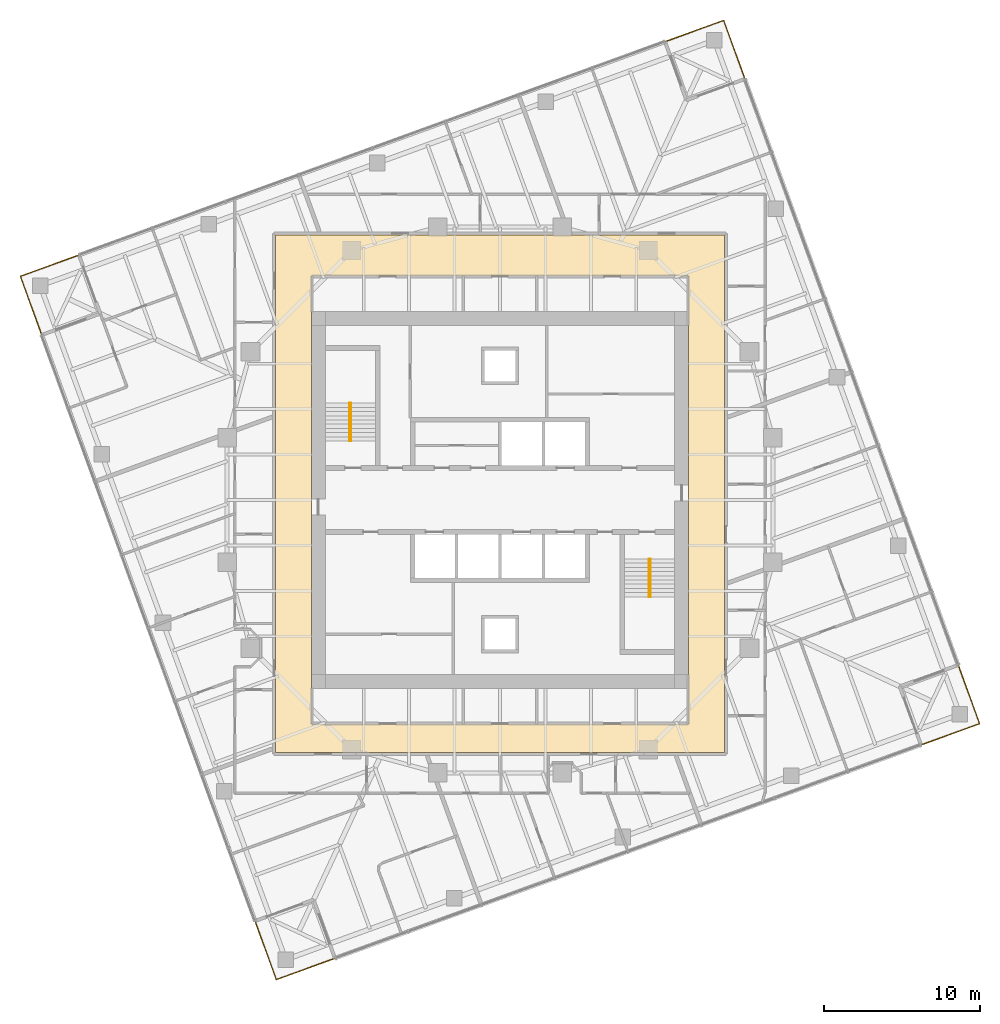
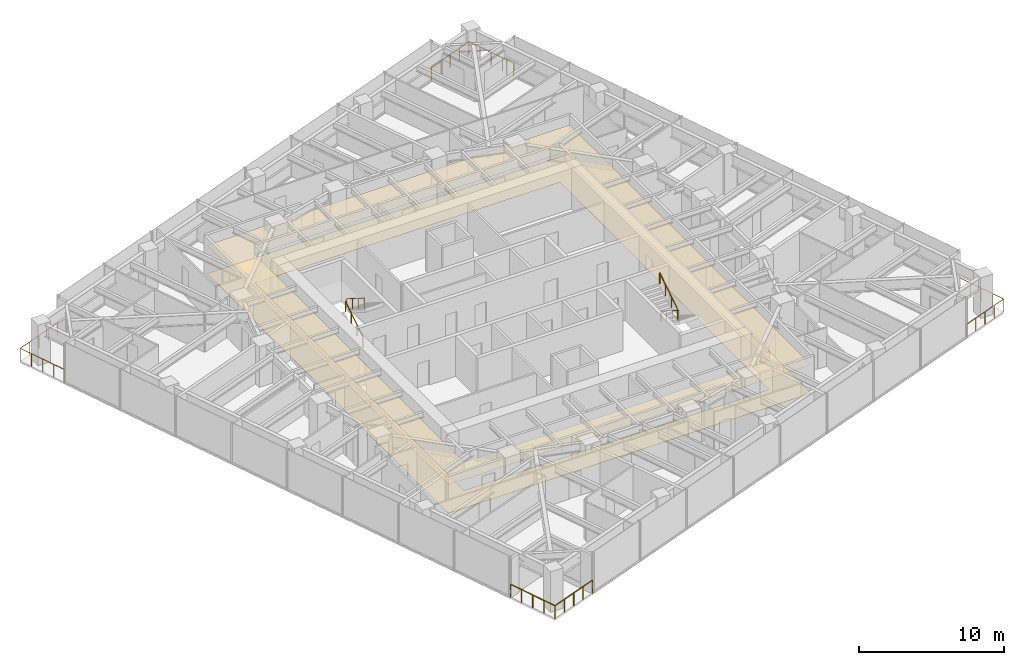
# One storey, part 13 of 13: 8 railings, 2 coverings, 2 elements without a shape of their own.
"""IFC4 building model written with IfcOpenShell, lengths in metres."""

from ifc_helpers import new_model, si_unit, direction, frame, origin, origin_2d, place, context, subcontext, project, spatial, polyline, circle, outline, extrude, material, layer, layer_set, type_object, element, aggregate, save


model = new_model("IFC4")

# Units and contexts
model_context = context("Model", 3, precision=1e-05, world=origin(), true_north=direction((0.0, 1.0)))
body_context = subcontext(model_context, "Body", "Model", "MODEL_VIEW")
ifc_project = project(units=[si_unit("LENGTHUNIT", "METRE"), si_unit("AREAUNIT", "SQUARE_METRE"), si_unit("VOLUMEUNIT", "CUBIC_METRE"), si_unit("PLANEANGLEUNIT", "RADIAN"), si_unit("MASSUNIT", "GRAM", prefix="KILO")], contexts=[model_context])

# Site, building, storey
site_placement = place(None, origin())
site = spatial("IfcSite", under=ifc_project, at=site_placement, CompositionType="ELEMENT")
building_placement = place(site_placement, origin())
building = spatial("IfcBuilding", under=site, at=building_placement, Name="Torsade Residences", CompositionType="ELEMENT")
storey_placement = place(building_placement, frame((0.0, 0.0, 160.800048828125)))
storey = spatial("IfcBuildingStorey", under=building, at=storey_placement, Name="L44", CompositionType="ELEMENT", Elevation=160.800048828125)

# Coverings
ifc_material_1 = material(Name="Nylon carpet tile on underlay", Category="textile")
ifc_layer_1 = layer(ifc_material_1, 0.010009765625)
ifc_layer_set_1 = layer_set([ifc_layer_1], Name="Nylon carpet tile on underlay")
covering_type_1 = type_object("IfcCoveringType", Name="CORRIDOR CARPET TILE 10", PredefinedType="FLOORING", material=ifc_layer_set_1)
covering_1_placement = place(storey_placement, origin())
element("IfcCovering", 1, at=covering_1_placement, inside=storey, type_object=covering_type_1, Name="Corridor carpet L44", PredefinedType="FLOORING", context=body_context, shape_type="SweptSolid", body=[
    extrude(outline(polyline([(25.60009765625, 47.0), (25.60009765625, 13.800048828125), (54.39990234375, 13.800048828125), (54.39990234375, 47.0), (25.60009765625, 47.0)]), holes=[polyline([(52.10009765625, 44.35009765625), (27.89990234375, 44.35009765625), (27.89990234375, 15.64990234375), (52.10009765625, 15.64990234375), (52.10009765625, 44.35009765625)])]), origin(), (0.0, 0.0, 1.0), 0.010009765625),
])
ifc_material_2 = material(Name="Plasterboard on suspended steel grid", Category="steel")
ifc_layer_2 = layer(ifc_material_2, 0.012939453125)
ifc_layer_set_2 = layer_set([ifc_layer_2], Name="Plasterboard on suspended steel grid")
covering_type_2 = type_object("IfcCoveringType", Name="CORRIDOR SUSPENDED CEILING 13", PredefinedType="CEILING", material=ifc_layer_set_2)
covering_2_placement = place(storey_placement, frame((0.0, 0.0, 2.39990234375)))
element("IfcCovering", 2, at=covering_2_placement, inside=storey, type_object=covering_type_2, Name="Corridor ceiling L44", PredefinedType="CEILING", context=body_context, shape_type="SweptSolid", body=[
    extrude(outline(polyline([(25.60009765625, 47.0), (25.60009765625, 13.800048828125), (54.39990234375, 13.800048828125), (54.39990234375, 47.0), (25.60009765625, 47.0)]), holes=[polyline([(52.10009765625, 44.35009765625), (27.89990234375, 44.35009765625), (27.89990234375, 15.64990234375), (52.10009765625, 15.64990234375), (52.10009765625, 44.35009765625)])]), origin(), (0.0, 0.0, 1.0), 0.012939453125),
])

# Stair, railings
ifc_material_3 = material(Name="Precast concrete 40 MPa", Category="concrete")
stair_type = type_object("IfcStairType", Name="HALF-TURN FIRE STAIR 1500x3400", PredefinedType="HALF_TURN_STAIR", material=ifc_material_3)
stair_1_placement = place(storey_placement, origin())
stair_1 = element("IfcStair", 3, at=stair_1_placement, inside=storey, type_object=stair_type, Name="Stair ST1 L44", PredefinedType="HALF_TURN_STAIR")
ifc_material_4 = material(Name="Steel handrail", Category="steel")
railing_type_1 = type_object("IfcRailingType", Name="STAIR HANDRAIL 900", PredefinedType="HANDRAIL", material=ifc_material_4)
railing_1_placement = place(storey_placement, frame((30.35009765625, 33.780029296875, 0.169921875)))
railing_1 = element("IfcRailing", 4, at=railing_1_placement, type_object=railing_type_1, Name="Handrail ST1 flight 1 L44", PredefinedType="HANDRAIL", context=body_context, shape_type="SweptSolid", body=[
    extrude(circle(Radius=0.02392578125, at=origin_2d()), frame((0.0, 0.0, 0.8759765625), z_axis=(0.0, 0.846221481393, 0.532831309544), x_axis=(-1.0, 0.0, 0.0)), (0.0, 0.0, 1.0), 2.87158203125),
    extrude(circle(Radius=0.02099609375, at=origin_2d()), origin(), (0.0, 0.0, 1.0), 0.851806640625),
    extrude(circle(Radius=0.02099609375, at=origin_2d()), frame((0.0, 0.81005859375, 0.510009765625)), (0.0, 0.0, 1.0), 0.851806640625),
    extrude(circle(Radius=0.02099609375, at=origin_2d()), frame((0.0, 1.619873046875, 1.02001953125)), (0.0, 0.0, 1.0), 0.851806640625),
    extrude(circle(Radius=0.02099609375, at=origin_2d()), frame((0.0, 2.429931640625, 1.530029296875)), (0.0, 0.0, 1.0), 0.851806640625),
])
railing_2_placement = place(storey_placement, frame((30.449951171875, 36.2099609375, 1.869873046875)))
railing_2 = element("IfcRailing", 5, at=railing_2_placement, type_object=railing_type_1, Name="Handrail ST1 flight 2 L44", PredefinedType="HANDRAIL", context=body_context, shape_type="SweptSolid", body=[
    extrude(circle(Radius=0.02392578125, at=origin_2d()), frame((0.0, 0.0, 0.8759765625), z_axis=(0.0, -0.846221481393, 0.532831309544), x_axis=(1.0, 0.0, 0.0)), (0.0, 0.0, 1.0), 2.87158203125),
    extrude(circle(Radius=0.02099609375, at=origin_2d()), origin(), (0.0, 0.0, 1.0), 0.851806640625),
    extrude(circle(Radius=0.02099609375, at=origin_2d()), frame((0.0, -0.81005859375, 0.510009765625)), (0.0, 0.0, 1.0), 0.851806640625),
    extrude(circle(Radius=0.02099609375, at=origin_2d()), frame((0.0, -1.619873046875, 1.02001953125)), (0.0, 0.0, 1.0), 0.851806640625),
    extrude(circle(Radius=0.02099609375, at=origin_2d()), frame((0.0, -2.429931640625, 1.530029296875)), (0.0, 0.0, 1.0), 0.851806640625),
])
aggregate(stair_1, [railing_1, railing_2])

stair_2_placement = place(storey_placement, origin())
stair_2 = element("IfcStair", 6, at=stair_2_placement, inside=storey, type_object=stair_type, Name="Stair ST2 L44", PredefinedType="HALF_TURN_STAIR")
railing_3_placement = place(storey_placement, frame((49.64990234375, 26.219970703125, 0.169921875)))
railing_3 = element("IfcRailing", 7, at=railing_3_placement, type_object=railing_type_1, Name="Handrail ST2 flight 1 L44", PredefinedType="HANDRAIL", context=body_context, shape_type="SweptSolid", body=[
    extrude(circle(Radius=0.02392578125, at=origin_2d()), frame((0.0, 0.0, 0.8759765625), z_axis=(0.0, -0.846221481393, 0.532831309544), x_axis=(1.0, 0.0, 0.0)), (0.0, 0.0, 1.0), 2.87158203125),
    extrude(circle(Radius=0.02099609375, at=origin_2d()), origin(), (0.0, 0.0, 1.0), 0.851806640625),
    extrude(circle(Radius=0.02099609375, at=origin_2d()), frame((0.0, -0.81005859375, 0.510009765625)), (0.0, 0.0, 1.0), 0.851806640625),
    extrude(circle(Radius=0.02099609375, at=origin_2d()), frame((0.0, -1.619873046875, 1.02001953125)), (0.0, 0.0, 1.0), 0.851806640625),
    extrude(circle(Radius=0.02099609375, at=origin_2d()), frame((0.0, -2.429931640625, 1.530029296875)), (0.0, 0.0, 1.0), 0.851806640625),
])
railing_4_placement = place(storey_placement, frame((49.550048828125, 23.7900390625, 1.869873046875)))
railing_4 = element("IfcRailing", 8, at=railing_4_placement, type_object=railing_type_1, Name="Handrail ST2 flight 2 L44", PredefinedType="HANDRAIL", context=body_context, shape_type="SweptSolid", body=[
    extrude(circle(Radius=0.02392578125, at=origin_2d()), frame((0.0, 0.0, 0.8759765625), z_axis=(0.0, 0.846221481393, 0.532831309544), x_axis=(-1.0, 0.0, 0.0)), (0.0, 0.0, 1.0), 2.87158203125),
    extrude(circle(Radius=0.02099609375, at=origin_2d()), origin(), (0.0, 0.0, 1.0), 0.851806640625),
    extrude(circle(Radius=0.02099609375, at=origin_2d()), frame((0.0, 0.81005859375, 0.510009765625)), (0.0, 0.0, 1.0), 0.851806640625),
    extrude(circle(Radius=0.02099609375, at=origin_2d()), frame((0.0, 1.619873046875, 1.02001953125)), (0.0, 0.0, 1.0), 0.851806640625),
    extrude(circle(Radius=0.02099609375, at=origin_2d()), frame((0.0, 2.429931640625, 1.530029296875)), (0.0, 0.0, 1.0), 0.851806640625),
])
aggregate(stair_2, [railing_3, railing_4])

# Railings
ifc_material_5 = material(Name="Laminated glass balustrade", Category="glass")
railing_type_2 = type_object("IfcRailingType", Name="TERRACE GLASS BALUSTRADE 1100", PredefinedType="BALUSTRADE", material=ifc_material_5)
railing_5_placement = place(storey_placement, frame((67.00244140625, 14.287841796875, 0.0)))
element("IfcRailing", 9, at=railing_5_placement, inside=storey, type_object=railing_type_2, Name="Terrace balustrade SE L44", PredefinedType="BALUSTRADE", context=body_context, shape_type="SweptSolid", body=[
    extrude(circle(Radius=0.02392578125, at=origin_2d()), frame((0.0, 0.0, 1.076171875), z_axis=(0.939698932726, 0.342002800914, 0.0), x_axis=(-0.342002800914, 0.939698932726, 0.0)), (0.0, 0.0, 1.0), 3.999755859375),
    extrude(circle(Radius=0.02392578125, at=origin_2d()), frame((3.758544921875, 1.367919921875, 1.076171875), z_axis=(-0.341983185197, 0.939706071622, 0.0), x_axis=(-0.939706071622, -0.341983185197, 0.0)), (0.0, 0.0, 1.0), 4.0),
    extrude(circle(Radius=0.02099609375, at=origin_2d()), origin(), (0.0, 0.0, 1.0), 1.052001953125),
    extrude(circle(Radius=0.02099609375, at=origin_2d()), frame((0.939697265625, 0.342041015625, 0.0)), (0.0, 0.0, 1.0), 1.052001953125),
    extrude(circle(Radius=0.02099609375, at=origin_2d()), frame((1.87939453125, 0.68408203125, 0.0)), (0.0, 0.0, 1.0), 1.052001953125),
    extrude(circle(Radius=0.02099609375, at=origin_2d()), frame((2.81884765625, 1.02587890625, 0.0)), (0.0, 0.0, 1.0), 1.052001953125),
    extrude(circle(Radius=0.02099609375, at=origin_2d()), frame((3.758544921875, 1.367919921875, 0.0)), (0.0, 0.0, 1.0), 1.052001953125),
    extrude(circle(Radius=0.02099609375, at=origin_2d()), frame((3.41650390625, 2.3076171875, 0.0)), (0.0, 0.0, 1.0), 1.052001953125),
    extrude(circle(Radius=0.02099609375, at=origin_2d()), frame((3.07470703125, 3.247314453125, 0.0)), (0.0, 0.0, 1.0), 1.052001953125),
    extrude(circle(Radius=0.02099609375, at=origin_2d()), frame((2.732666015625, 4.18701171875, 0.0)), (0.0, 0.0, 1.0), 1.052001953125),
    extrude(circle(Radius=0.02099609375, at=origin_2d()), frame((2.390625, 5.126708984375, 0.0)), (0.0, 0.0, 1.0), 1.052001953125),
])
railing_6_placement = place(storey_placement, frame((55.712158203125, 57.00244140625, 0.0)))
element("IfcRailing", 10, at=railing_6_placement, inside=storey, type_object=railing_type_2, Name="Terrace balustrade NE L44", PredefinedType="BALUSTRADE", context=body_context, shape_type="SweptSolid", body=[
    extrude(circle(Radius=0.02392578125, at=origin_2d()), frame((0.0, 0.0, 1.076171875), z_axis=(-0.342002800914, 0.939698932726, 0.0), x_axis=(-0.939698932726, -0.342002800914, 0.0)), (0.0, 0.0, 1.0), 3.999755859375),
    extrude(circle(Radius=0.02392578125, at=origin_2d()), frame((-1.367919921875, 3.758544921875, 1.076171875), z_axis=(-0.939706071622, -0.341983185197, 0.0), x_axis=(0.341983185197, -0.939706071622, 0.0)), (0.0, 0.0, 1.0), 4.0),
    extrude(circle(Radius=0.02099609375, at=origin_2d()), origin(), (0.0, 0.0, 1.0), 1.052001953125),
    extrude(circle(Radius=0.02099609375, at=origin_2d()), frame((-0.342041015625, 0.939697265625, 0.0)), (0.0, 0.0, 1.0), 1.052001953125),
    extrude(circle(Radius=0.02099609375, at=origin_2d()), frame((-0.68408203125, 1.87939453125, 0.0)), (0.0, 0.0, 1.0), 1.052001953125),
    extrude(circle(Radius=0.02099609375, at=origin_2d()), frame((-1.02587890625, 2.81884765625, 0.0)), (0.0, 0.0, 1.0), 1.052001953125),
    extrude(circle(Radius=0.02099609375, at=origin_2d()), frame((-1.367919921875, 3.758544921875, 0.0)), (0.0, 0.0, 1.0), 1.052001953125),
    extrude(circle(Radius=0.02099609375, at=origin_2d()), frame((-2.3076171875, 3.41650390625, 0.0)), (0.0, 0.0, 1.0), 1.052001953125),
    extrude(circle(Radius=0.02099609375, at=origin_2d()), frame((-3.247314453125, 3.07470703125, 0.0)), (0.0, 0.0, 1.0), 1.052001953125),
    extrude(circle(Radius=0.02099609375, at=origin_2d()), frame((-4.18701171875, 2.732666015625, 0.0)), (0.0, 0.0, 1.0), 1.052001953125),
    extrude(circle(Radius=0.02099609375, at=origin_2d()), frame((-5.126708984375, 2.390625, 0.0)), (0.0, 0.0, 1.0), 1.052001953125),
])
railing_7_placement = place(storey_placement, frame((12.99755859375, 45.712158203125, 0.0)))
element("IfcRailing", 11, at=railing_7_placement, inside=storey, type_object=railing_type_2, Name="Terrace balustrade NW L44", PredefinedType="BALUSTRADE", context=body_context, shape_type="SweptSolid", body=[
    extrude(circle(Radius=0.02392578125, at=origin_2d()), frame((0.0, 0.0, 1.076171875), z_axis=(-0.939698932726, -0.342002800914, 0.0), x_axis=(0.342002800914, -0.939698932726, 0.0)), (0.0, 0.0, 1.0), 3.999755859375),
    extrude(circle(Radius=0.02392578125, at=origin_2d()), frame((-3.758544921875, -1.367919921875, 1.076171875), z_axis=(0.341983185197, -0.939706071622, 0.0), x_axis=(0.939706071622, 0.341983185197, 0.0)), (0.0, 0.0, 1.0), 4.0),
    extrude(circle(Radius=0.02099609375, at=origin_2d()), origin(), (0.0, 0.0, 1.0), 1.052001953125),
    extrude(circle(Radius=0.02099609375, at=origin_2d()), frame((-0.939697265625, -0.342041015625, 0.0)), (0.0, 0.0, 1.0), 1.052001953125),
    extrude(circle(Radius=0.02099609375, at=origin_2d()), frame((-1.87939453125, -0.68408203125, 0.0)), (0.0, 0.0, 1.0), 1.052001953125),
    extrude(circle(Radius=0.02099609375, at=origin_2d()), frame((-2.81884765625, -1.02587890625, 0.0)), (0.0, 0.0, 1.0), 1.052001953125),
    extrude(circle(Radius=0.02099609375, at=origin_2d()), frame((-3.758544921875, -1.367919921875, 0.0)), (0.0, 0.0, 1.0), 1.052001953125),
    extrude(circle(Radius=0.02099609375, at=origin_2d()), frame((-3.41650390625, -2.3076171875, 0.0)), (0.0, 0.0, 1.0), 1.052001953125),
    extrude(circle(Radius=0.02099609375, at=origin_2d()), frame((-3.07470703125, -3.247314453125, 0.0)), (0.0, 0.0, 1.0), 1.052001953125),
    extrude(circle(Radius=0.02099609375, at=origin_2d()), frame((-2.732666015625, -4.18701171875, 0.0)), (0.0, 0.0, 1.0), 1.052001953125),
    extrude(circle(Radius=0.02099609375, at=origin_2d()), frame((-2.390625, -5.126708984375, 0.0)), (0.0, 0.0, 1.0), 1.052001953125),
])
railing_8_placement = place(storey_placement, frame((24.287841796875, 2.99755859375, 0.0)))
element("IfcRailing", 12, at=railing_8_placement, inside=storey, type_object=railing_type_2, Name="Terrace balustrade SW L44", PredefinedType="BALUSTRADE", context=body_context, shape_type="SweptSolid", body=[
    extrude(circle(Radius=0.02392578125, at=origin_2d()), frame((0.0, 0.0, 1.076171875), z_axis=(0.342002800914, -0.939698932726, 0.0), x_axis=(0.939698932726, 0.342002800914, 0.0)), (0.0, 0.0, 1.0), 3.999755859375),
    extrude(circle(Radius=0.02392578125, at=origin_2d()), frame((1.367919921875, -3.758544921875, 1.076171875), z_axis=(0.939706071622, 0.341983185197, 0.0), x_axis=(-0.341983185197, 0.939706071622, 0.0)), (0.0, 0.0, 1.0), 4.0),
    extrude(circle(Radius=0.02099609375, at=origin_2d()), origin(), (0.0, 0.0, 1.0), 1.052001953125),
    extrude(circle(Radius=0.02099609375, at=origin_2d()), frame((0.342041015625, -0.939697265625, 0.0)), (0.0, 0.0, 1.0), 1.052001953125),
    extrude(circle(Radius=0.02099609375, at=origin_2d()), frame((0.68408203125, -1.87939453125, 0.0)), (0.0, 0.0, 1.0), 1.052001953125),
    extrude(circle(Radius=0.02099609375, at=origin_2d()), frame((1.02587890625, -2.81884765625, 0.0)), (0.0, 0.0, 1.0), 1.052001953125),
    extrude(circle(Radius=0.02099609375, at=origin_2d()), frame((1.367919921875, -3.758544921875, 0.0)), (0.0, 0.0, 1.0), 1.052001953125),
    extrude(circle(Radius=0.02099609375, at=origin_2d()), frame((2.3076171875, -3.41650390625, 0.0)), (0.0, 0.0, 1.0), 1.052001953125),
    extrude(circle(Radius=0.02099609375, at=origin_2d()), frame((3.247314453125, -3.07470703125, 0.0)), (0.0, 0.0, 1.0), 1.052001953125),
    extrude(circle(Radius=0.02099609375, at=origin_2d()), frame((4.18701171875, -2.732666015625, 0.0)), (0.0, 0.0, 1.0), 1.052001953125),
    extrude(circle(Radius=0.02099609375, at=origin_2d()), frame((5.126708984375, -2.390625, 0.0)), (0.0, 0.0, 1.0), 1.052001953125),
])

save(model, "model.ifc")
